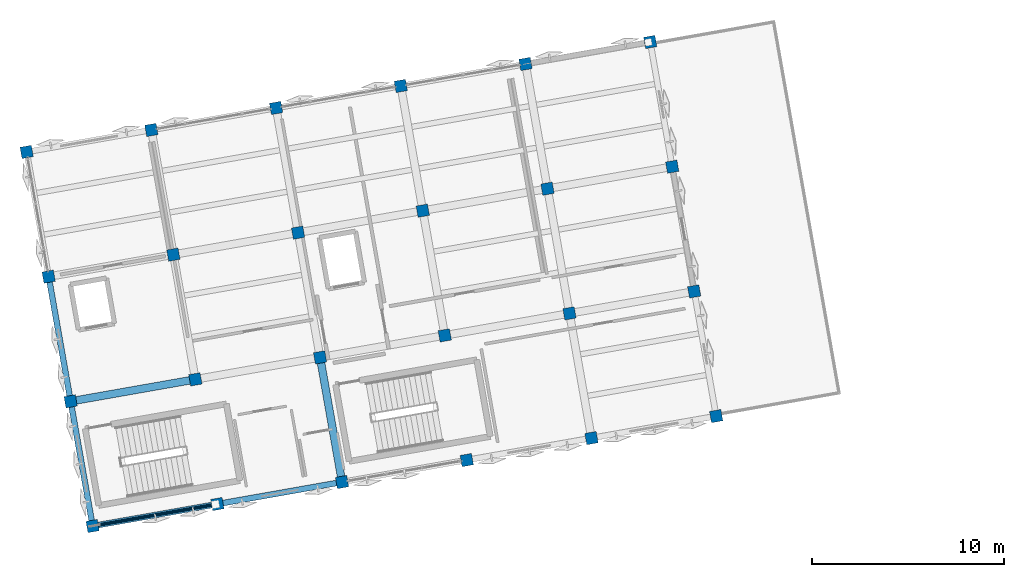
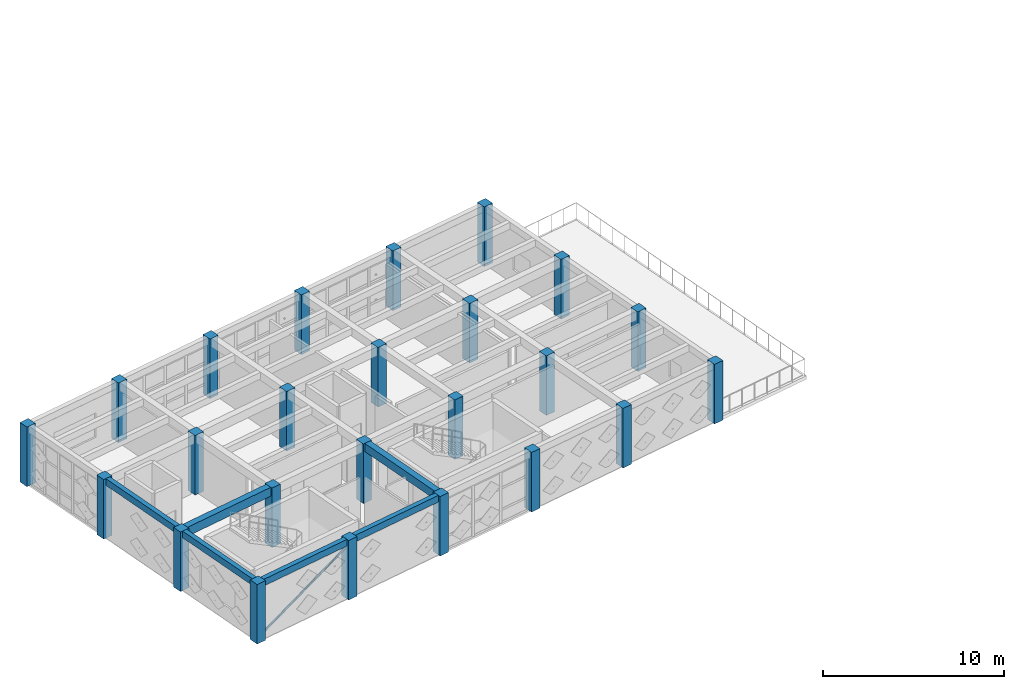
# One storey, part 1 of 18: 24 columns, 6 beams, 1 member.
"""IFC4 building model written with IfcOpenShell, lengths in metres."""

from ifc_helpers import new_model, si_unit, direction, frame, origin, origin_2d, place, context, subcontext, project, spatial, rectangle, hollow_circle, extrude, material, material_profile, profile_set, type_object, element, save


model = new_model("IFC4")

# Units and contexts
model_context = context("Model", 3, precision=1e-05, world=origin(), true_north=direction((0.0, 1.0)))
body_context = subcontext(model_context, "Body", "Model", "MODEL_VIEW")
ifc_project = project(units=[si_unit("LENGTHUNIT", "METRE"), si_unit("AREAUNIT", "SQUARE_METRE"), si_unit("VOLUMEUNIT", "CUBIC_METRE"), si_unit("PLANEANGLEUNIT", "RADIAN"), si_unit("MASSUNIT", "GRAM", prefix="KILO")], contexts=[model_context])

# Site, building, storey
site_placement = place(None, origin())
site = spatial("IfcSite", under=ifc_project, at=site_placement, CompositionType="ELEMENT")
building_placement = place(site_placement, origin())
building = spatial("IfcBuilding", under=site, at=building_placement, Name="Kharisveld Research Institute", CompositionType="ELEMENT")
storey_placement = place(building_placement, frame((0.0, 0.0, 36.60009765625)))
storey = spatial("IfcBuildingStorey", under=building, at=storey_placement, Name="L08", CompositionType="ELEMENT", Elevation=36.60009765625)

# Columns
ifc_material_1 = material(Name="Concrete C40/50", Category="concrete")
ifc_material_profile_1 = material_profile(ifc_material_1, rectangle(XDim=0.60009765625, YDim=0.60009765625, at=origin_2d()))
ifc_profile_set_1 = profile_set([ifc_material_profile_1], Name="Concrete C40/50")
column_type = type_object("IfcColumnType", Name="COL_RC_600", PredefinedType="COLUMN", material=ifc_profile_set_1)
for number, where, z_axis, x_axis, name in (
    (1, (5.199951171875, 35.010009765625, 0.0), (0.0, 0.0, 1.0), (0.984807753012, 0.173648177667, 0.0), "COL:V1:L08:U0V0"),
    (2, (4.053955078125, 41.509765625, 0.0), (0.0, 0.0, 1.0), (0.984807753012, 0.173648177667, 0.0), "COL:V1:L08:U0V1"),
    (3, (2.907958984375, 48.009521484375, 0.0), (0.0, 0.0, 1.0), (0.984807753012, 0.173648177667, 0.0), "COL:V1:L08:U0V2"),
    (4, (1.76171875, 54.50927734375, 0.0), (0.0, 0.0, 1.0), (0.984807753012, 0.173648177667, 0.0), "COL:V1:L08:U0V3"),
    (5, (11.69970703125, 36.156005859375, 0.0), (0.0, 0.0, 1.0), (0.984807753012, 0.173648177667, 0.0), "COL:V1:L08:U1V0"),
    (6, (10.5537109375, 42.65576171875, 0.0), (0.0, 0.0, 1.0), (0.984807753012, 0.173648177667, 0.0), "COL:V1:L08:U1V1"),
    (7, (9.407470703125, 49.155517578125, 0.0), (0.0, 0.0, 1.0), (0.984807753012, 0.173648177667, 0.0), "COL:V1:L08:U1V2"),
    (8, (8.261474609375, 55.6552734375, 0.0), (0.0, 0.0, 1.0), (0.984807753012, 0.173648177667, 0.0), "COL:V1:L08:U1V3"),
    (9, (18.199462890625, 37.30224609375, 0.0), (0.0, 0.0, 1.0), (0.984807753012, 0.173648177667, 0.0), "COL:V1:L08:U2V0"),
    (10, (17.053466796875, 43.802001953125, 0.0), (0.0, 0.0, 1.0), (0.984807753012, 0.173648177667, 0.0), "COL:V1:L08:U2V1"),
    (11, (15.9072265625, 50.301513671875, 0.0), (0.0, 0.0, 1.0), (0.984807753012, 0.173648177667, 0.0), "COL:V1:L08:U2V2"),
    (12, (14.76123046875, 56.80126953125, 0.0), (0.0, 0.0, 1.0), (0.984807753012, 0.173648177667, 0.0), "COL:V1:L08:U2V3"),
    (13, (24.69921875, 38.4482421875, 0.0), (0.0, 0.0, 1.0), (0.984807753012, 0.173648177667, 0.0), "COL:V1:L08:U3V0"),
    (14, (23.55322265625, 44.947998046875, 0.0), (0.0, 0.0, 1.0), (0.984807753012, 0.173648177667, 0.0), "COL:V1:L08:U3V1"),
    (15, (22.406982421875, 51.44775390625, 0.0), (0.0, 0.0, 1.0), (0.984807753012, 0.173648177667, 0.0), "COL:V1:L08:U3V2"),
    (16, (21.260986328125, 57.947509765625, 0.0), (0.0, 0.0, 1.0), (0.984807753012, 0.173648177667, 0.0), "COL:V1:L08:U3V3"),
    (17, (31.198974609375, 39.59423828125, 0.0), (0.0, 0.0, 1.0), (0.984807753012, 0.173648177667, 0.0), "COL:V1:L08:U4V0"),
    (18, (30.052734375, 46.093994140625, 0.0), (0.0, 0.0, 1.0), (0.984807753012, 0.173648177667, 0.0), "COL:V1:L08:U4V1"),
    (19, (28.90673828125, 52.59375, 0.0), (0.0, 0.0, 1.0), (0.984807753012, 0.173648177667, 0.0), "COL:V1:L08:U4V2"),
    (20, (27.7607421875, 59.093505859375, 0.0), (0.0, 0.0, 1.0), (0.984807753012, 0.173648177667, 0.0), "COL:V1:L08:U4V3"),
    (21, (37.69873046875, 40.740478515625, 0.0), (0.0, 0.0, 1.0), (0.984807753012, 0.173648177667, 0.0), "COL:V1:L08:U5V0"),
    (22, (36.552490234375, 47.240234375, 0.0), (0.0, 0.0, 1.0), (0.984807753012, 0.173648177667, 0.0), "COL:V1:L08:U5V1"),
    (23, (35.406494140625, 53.73974609375, 0.0), (0.0, 0.0, 1.0), (0.984807753012, 0.173648177667, 0.0), "COL:V1:L08:U5V2"),
    (24, (34.260498046875, 60.239501953125, 0.0), (0.0, 0.0, 1.0), (0.984807753012, 0.173648177667, 0.0), "COL:V1:L08:U5V3"),
):
    element("IfcColumn", number, at=place(storey_placement, frame(where, z_axis=z_axis, x_axis=x_axis)), inside=storey, type_object=column_type, Name=name, PredefinedType="COLUMN", context=body_context, shape_type="SweptSolid", body=[
        extrude(rectangle(XDim=0.60009765625, YDim=0.60009765625, at=origin_2d()), origin(), (0.0, 0.0, 1.0), 4.02001953125),
    ])

# Beams
ifc_material_2 = material(Name="Concrete C40/50", Category="concrete")
ifc_material_profile_2 = material_profile(ifc_material_2, rectangle(XDim=0.39990234375, YDim=0.550048828125, at=origin_2d()))
ifc_profile_set_2 = profile_set([ifc_material_profile_2], Name="Concrete C40/50")
beam_type_1 = type_object("IfcBeamType", Name="BM_RC_400x550", PredefinedType="BEAM", material=ifc_profile_set_2)
beam_1_placement = place(storey_placement, frame((18.1474609375, 37.59765625, 3.744873046875), z_axis=(-0.173669267716, 0.984804034035, 0.0), x_axis=(-0.984804034035, -0.173669267716, 0.0)))
element("IfcBeam", 25, at=beam_1_placement, inside=storey, type_object=beam_type_1, Name="BM:V1:L08:V2_0", PredefinedType="BEAM", context=body_context, shape_type="SweptSolid", body=[
    extrude(rectangle(XDim=0.39990234375, YDim=0.550048828125, at=origin_2d()), origin(), (0.0, 0.0, 1.0), 5.999755859375),
])
ifc_material_3 = material(Name="Concrete C40/50", Category="concrete")
ifc_material_profile_3 = material_profile(ifc_material_3, rectangle(XDim=0.39990234375, YDim=0.60009765625, at=origin_2d()))
ifc_profile_set_3 = profile_set([ifc_material_profile_3], Name="Concrete C40/50")
beam_type_2 = type_object("IfcBeamType", Name="BM_RC_400x600", PredefinedType="BEAM", material=ifc_profile_set_3)
beam_2_placement = place(storey_placement, frame((4.349365234375, 41.561767578125, 3.719970703125), z_axis=(0.984805261243, 0.173662308598, 0.0), x_axis=(-0.173662308598, 0.984805261243, 0.0)))
element("IfcBeam", 26, at=beam_2_placement, inside=storey, type_object=beam_type_2, Name="BM:V1:L08:U0_1", PredefinedType="BEAM", context=body_context, shape_type="SweptSolid", body=[
    extrude(rectangle(XDim=0.39990234375, YDim=0.60009765625, at=origin_2d()), origin(), (0.0, 0.0, 1.0), 6.0),
])

# Member
ifc_material_4 = material(Name="Steel S355J2H", Category="steel")
ifc_material_profile_4 = material_profile(ifc_material_4, hollow_circle(Radius=0.06982421875, WallThickness=0.00634765625, at=origin_2d()))
ifc_profile_set_4 = profile_set([ifc_material_profile_4], Name="Steel S355J2H")
member_type = type_object("IfcMemberType", Name="BR_CHS140", PredefinedType="BRACE", material=ifc_profile_set_4)
member_placement = place(storey_placement, frame((5.298583984375, 35.02734375, 0.199951171875), z_axis=(0.876966834258, 0.154630966437, 0.454992786569), x_axis=(-0.173646056486, 0.984808127031, 0.0)))
element("IfcMember", 27, at=member_placement, inside=storey, type_object=member_type, Name="MEM:V1:L08:BR_0_0", PredefinedType="BRACE", context=body_context, shape_type="SweptSolid", body=[
    extrude(hollow_circle(Radius=0.06982421875, WallThickness=0.00634765625, at=origin_2d()), origin(), (0.0, 0.0, 1.0), 7.18701171875),
])

# Beams
ifc_material_5 = material(Name="Concrete C40/50", Category="concrete")
ifc_material_profile_5 = material_profile(ifc_material_5, rectangle(XDim=0.300048828125, YDim=0.449951171875, at=origin_2d()))
ifc_profile_set_5 = profile_set([ifc_material_profile_5], Name="Concrete C40/50")
beam_type_3 = type_object("IfcBeamType", Name="SP_RC_300x450", PredefinedType="SPANDREL", material=ifc_profile_set_5)
for number, where, z_axis, x_axis, name in (
    (28, (5.495361328125, 35.06201171875, 3.794921875), (0.984805261243, 0.173662308598, 0.0), (-0.173662308598, 0.984805261243, 0.0), "BM:V1:L08:U0_0"),
    (29, (11.9951171875, 36.208251953125, 3.794921875), (0.984812219346, 0.173622845926, 0.0), (-0.173622845926, 0.984812219346, 0.0), "BM:V1:L08:U1_0"),
    (30, (5.14794921875, 35.305419921875, 3.794921875), (-0.173662308598, 0.984805261243, 0.0), (-0.984805261243, -0.173662308598, 0.0), "BM:V1:L08:V0_0"),
    (31, (4.001708984375, 41.80517578125, 3.794921875), (-0.173622845926, 0.984812219346, 0.0), (-0.984812219346, -0.173622845926, 0.0), "BM:V1:L08:V0_1"),
):
    element("IfcBeam", number, at=place(storey_placement, frame(where, z_axis=z_axis, x_axis=x_axis)), inside=storey, type_object=beam_type_3, Name=name, PredefinedType="SPANDREL", context=body_context, shape_type="SweptSolid", body=[
        extrude(rectangle(XDim=0.300048828125, YDim=0.449951171875, at=origin_2d()), origin(), (0.0, 0.0, 1.0), 6.0),
    ])

save(model, "model.ifc")
